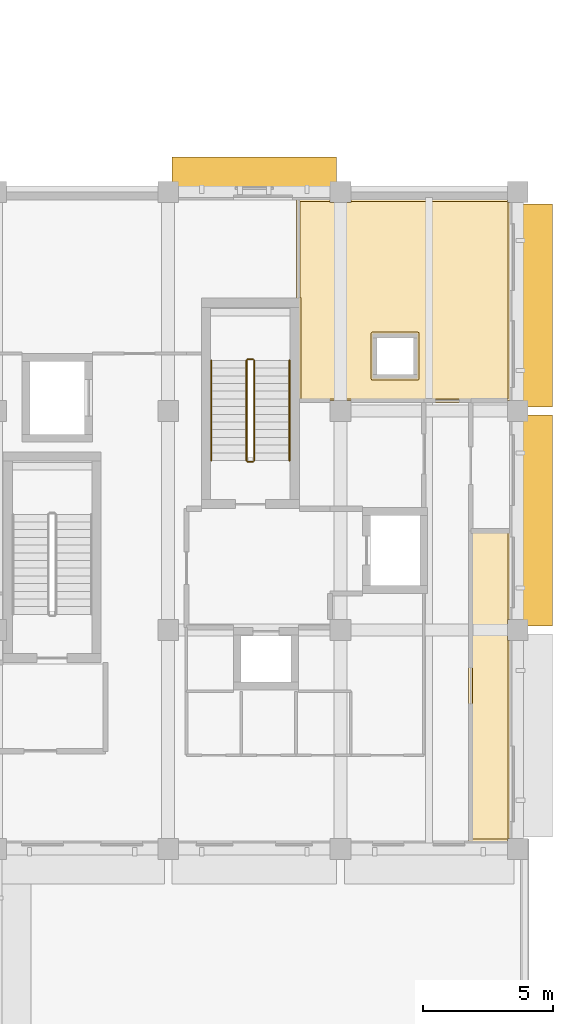
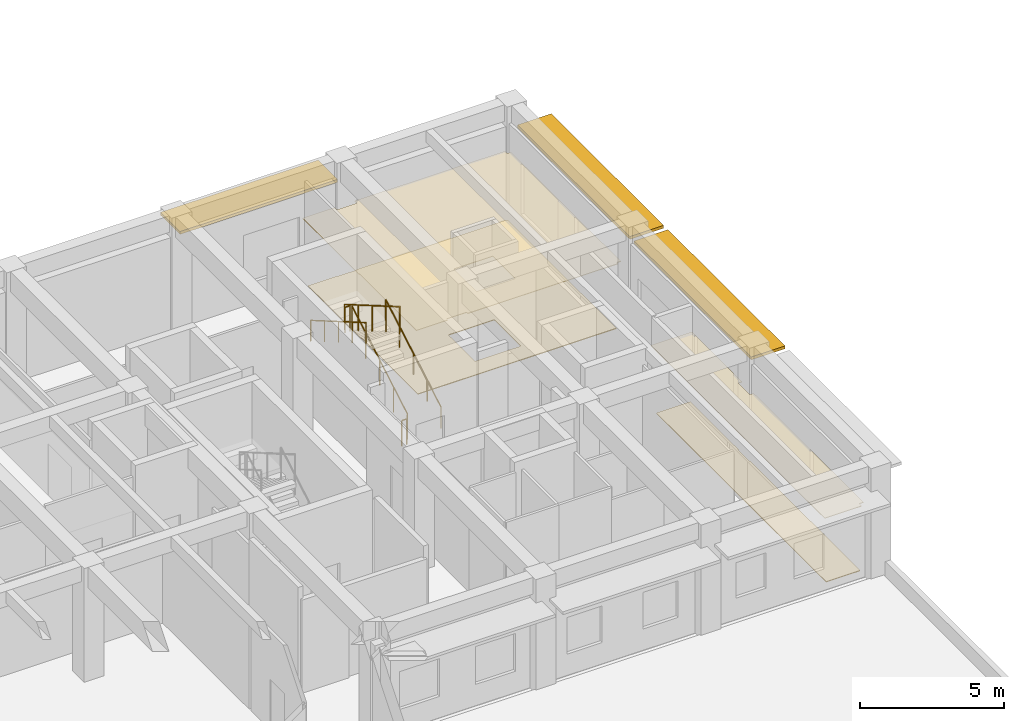
# One storey, part 74 of 75: 6 railings, 4 coverings, 3 shading devices.
"""IFC4 building model written with IfcOpenShell, lengths in metres."""

from ifc_helpers import new_model, si_unit, direction, frame, origin, origin_2d, place, context, subcontext, project, spatial, polyline, rectangle, circle, outline, extrude, material, layer, layer_set, type_object, element, save


model = new_model("IFC4")

# Units and contexts
model_context = context("Model", 3, precision=1e-05, world=origin(), true_north=direction((0.0, 1.0)))
body_context = subcontext(model_context, "Body", "Model", "MODEL_VIEW")
ifc_project = project(units=[si_unit("LENGTHUNIT", "METRE"), si_unit("AREAUNIT", "SQUARE_METRE"), si_unit("VOLUMEUNIT", "CUBIC_METRE"), si_unit("PLANEANGLEUNIT", "RADIAN"), si_unit("MASSUNIT", "GRAM", prefix="KILO")], contexts=[model_context])

# Site, building, storey
site_placement = place(None, origin())
site = spatial("IfcSite", under=ifc_project, at=site_placement, CompositionType="ELEMENT")
building_placement = place(site_placement, origin())
building = spatial("IfcBuilding", under=site, at=building_placement, Name="Kolvaren Faculty of Natural Sciences", CompositionType="ELEMENT")
storey_placement = place(building_placement, frame((0.0, 0.0, 5.39990234375)))
storey = spatial("IfcBuildingStorey", under=building, at=storey_placement, Name="L01", CompositionType="ELEMENT", Elevation=5.39990234375)

# Coverings
ifc_material_1 = material(Name="Perforated mineral-fibre acoustic suspended ceiling tile")
ifc_layer_1 = layer(ifc_material_1, 0.02490234375)
ifc_layer_set_1 = layer_set([ifc_layer_1], Name="Perforated mineral-fibre acoustic suspended ceiling tile")
covering_type_1 = type_object("IfcCoveringType", Name="AcousticSuspendedCeiling_25", PredefinedType="CEILING", material=ifc_layer_set_1)
covering_1_placement = place(storey_placement, frame((0.0, 0.0, 2.8251953125)))
element("IfcCovering", 1, at=covering_1_placement, inside=storey, type_object=covering_type_1, Name="L01 L01 Departmental Reference Library acoustic ceiling", PredefinedType="CEILING", context=body_context, shape_type="SweptSolid", body=[
    extrude(outline(polyline([(170.1201171875, 59.239990234375), (170.1201171875, 71.280029296875), (171.760009765625, 71.280029296875), (171.760009765625, 67.800048828125), (171.60009765625, 67.800048828125), (171.60009765625, 67.0), (171.760009765625, 67.0), (171.760009765625, 59.39990234375), (171.60009765625, 59.39990234375), (171.60009765625, 59.239990234375), (170.1201171875, 59.239990234375)])), origin(), (0.0, 0.0, 1.0), 0.02490234375),
])
covering_2_placement = place(storey_placement, frame((0.0, 0.0, 2.8251953125)))
element("IfcCovering", 2, at=covering_2_placement, inside=storey, type_object=covering_type_1, Name="L01 L01 Senior Researcher Office acoustic ceiling", PredefinedType="CEILING", context=body_context, shape_type="SweptSolid", body=[
    extrude(outline(polyline([(171.760009765625, 76.199951171875), (171.60009765625, 76.199951171875), (171.60009765625, 76.1201171875), (165.60009765625, 76.1201171875), (165.60009765625, 76.199951171875), (164.800048828125, 76.199951171875), (164.800048828125, 76.1201171875), (163.544921875, 76.1201171875), (163.544921875, 80.044921875), (163.52001953125, 80.044921875), (163.52001953125, 83.9599609375), (164.800048828125, 83.9599609375), (164.800048828125, 83.800048828125), (165.60009765625, 83.800048828125), (165.60009765625, 83.9599609375), (171.60009765625, 83.9599609375), (171.60009765625, 83.800048828125), (171.760009765625, 83.800048828125), (171.760009765625, 76.199951171875)]), holes=[polyline([(168.080078125, 77.1201171875), (168.080078125, 78.679931640625), (166.52001953125, 78.679931640625), (166.52001953125, 77.1201171875), (168.080078125, 77.1201171875)])]), origin(), (0.0, 0.0, 1.0), 0.02490234375),
])

# Shading devices
ifc_material_2 = material(Name="Precast concrete C35/45", Category="concrete")
ifc_layer_2 = layer(ifc_material_2, 0.1201171875)
ifc_layer_set_2 = layer_set([ifc_layer_2], Name="Precast concrete C35/45")
shading_device_type = type_object("IfcShadingDeviceType", Name="ChhajjaSolarHood_1350", PredefinedType="AWNING", material=ifc_layer_set_2)
shading_device_1_placement = place(storey_placement, frame((161.89990234375, 84.85498046875, 3.695068359375), z_axis=(0.0, 0.0, 1.0), x_axis=(1.0, 0.0, 0.0)))
element("IfcShadingDevice", 3, at=shading_device_1_placement, inside=storey, type_object=shading_device_type, Name="L01 precast sandstone chhajja solar hood 47", PredefinedType="AWNING", context=body_context, shape_type="SweptSolid", body=[
    extrude(rectangle(XDim=6.300048828125, YDim=1.35009765625, at=origin_2d()), origin(), (0.0, 0.0, 1.0), 0.1201171875),
])
shading_device_2_placement = place(storey_placement, frame((172.655029296875, 79.840087890625, 3.844970703125), z_axis=(0.0, 0.0, 1.0), x_axis=(0.0, -1.0, 0.0)))
element("IfcShadingDevice", 4, at=shading_device_2_placement, inside=storey, type_object=shading_device_type, Name="L01 precast sandstone chhajja solar hood 48", PredefinedType="AWNING", context=body_context, shape_type="SweptSolid", body=[
    extrude(rectangle(XDim=7.780029296875, YDim=1.35009765625, at=origin_2d()), origin(), (0.0, 0.0, 1.0), 0.1201171875),
])
shading_device_3_placement = place(storey_placement, frame((172.655029296875, 71.60009765625, 3.844970703125), z_axis=(0.0, 0.0, 1.0), x_axis=(0.0, -1.0, 0.0)))
element("IfcShadingDevice", 5, at=shading_device_3_placement, inside=storey, type_object=shading_device_type, Name="L01 precast sandstone chhajja solar hood 49", PredefinedType="AWNING", context=body_context, shape_type="SweptSolid", body=[
    extrude(rectangle(XDim=8.10009765625, YDim=1.35009765625, at=origin_2d()), origin(), (0.0, 0.0, 1.0), 0.1201171875),
])

# Railings
ifc_material_3 = material(Name="Structural steel EN 10210-1 S355J2H", Category="steel")
ifc_layer_3 = layer(ifc_material_3, 0.048095703125)
ifc_layer_set_3 = layer_set([ifc_layer_3], Name="Structural steel EN 10210-1 S355J2H")
railing_type_1 = type_object("IfcRailingType", Name="StairPitchHandrail_920", PredefinedType="HANDRAIL", material=ifc_layer_set_3)
railing_1_placement = place(storey_placement, frame((163.25, 73.89990234375, 0.171630859375)))
element("IfcRailing", 6, at=railing_1_placement, inside=storey, type_object=railing_type_1, Name="L01 ST-1 stair handrail 1", PredefinedType="HANDRAIL", context=body_context, shape_type="SweptSolid", body=[
    extrude(circle(Radius=0.02392578125, at=origin_2d()), frame((0.0, 0.0, 0.8759765625), z_axis=(0.0, 0.864630078522, 0.502409023919), x_axis=(-1.0, 0.0, 0.0)), (0.0, 0.0, 1.0), 4.435546875),
    extrude(circle(Radius=0.02099609375, at=origin_2d()), origin(), (0.0, 0.0, 1.0), 0.851806640625),
    extrude(circle(Radius=0.02099609375, at=origin_2d()), frame((0.0, 0.958740234375, 0.55712890625)), (0.0, 0.0, 1.0), 0.851806640625),
    extrude(circle(Radius=0.02099609375, at=origin_2d()), frame((0.0, 1.91748046875, 1.1142578125)), (0.0, 0.0, 1.0), 0.851806640625),
    extrude(circle(Radius=0.02099609375, at=origin_2d()), frame((0.0, 2.87646484375, 1.67138671875)), (0.0, 0.0, 1.0), 0.851806640625),
    extrude(circle(Radius=0.02099609375, at=origin_2d()), frame((0.0, 3.835205078125, 2.228515625)), (0.0, 0.0, 1.0), 0.851806640625),
])
railing_2_placement = place(storey_placement, frame((160.25, 77.735107421875, 2.571533203125)))
element("IfcRailing", 7, at=railing_2_placement, inside=storey, type_object=railing_type_1, Name="L01 ST-1 stair handrail 2", PredefinedType="HANDRAIL", context=body_context, shape_type="SweptSolid", body=[
    extrude(circle(Radius=0.02392578125, at=origin_2d()), frame((0.0, 0.0, 0.8759765625), z_axis=(0.0, -0.864630078522, 0.502409023919), x_axis=(1.0, 0.0, 0.0)), (0.0, 0.0, 1.0), 4.435546875),
    extrude(circle(Radius=0.02099609375, at=origin_2d()), origin(), (0.0, 0.0, 1.0), 0.851806640625),
    extrude(circle(Radius=0.02099609375, at=origin_2d()), frame((0.0, -0.958740234375, 0.55712890625)), (0.0, 0.0, 1.0), 0.851806640625),
    extrude(circle(Radius=0.02099609375, at=origin_2d()), frame((0.0, -1.91748046875, 1.1142578125)), (0.0, 0.0, 1.0), 0.851806640625),
    extrude(circle(Radius=0.02099609375, at=origin_2d()), frame((0.0, -2.87646484375, 1.67138671875)), (0.0, 0.0, 1.0), 0.851806640625),
    extrude(circle(Radius=0.02099609375, at=origin_2d()), frame((0.0, -3.835205078125, 2.228515625)), (0.0, 0.0, 1.0), 0.851806640625),
])
ifc_layer_4 = layer(ifc_material_3, 0.048095703125)
ifc_layer_set_4 = layer_set([ifc_layer_4], Name="Structural steel EN 10210-1 S355J2H")
railing_type_2 = type_object("IfcRailingType", Name="StairWellGuard_1100", PredefinedType="BALUSTRADE", material=ifc_layer_set_4)
railing_3_placement = place(storey_placement, frame((161.89990234375, 73.89990234375, 0.171630859375)))
element("IfcRailing", 8, at=railing_3_placement, inside=storey, type_object=railing_type_2, Name="L01 ST-1 stair guard 1", PredefinedType="BALUSTRADE", context=body_context, shape_type="SweptSolid", body=[
    extrude(circle(Radius=0.02392578125, at=origin_2d()), frame((0.0, 0.0, 1.076171875), z_axis=(0.0, 0.864630078522, 0.502409023919), x_axis=(-1.0, 0.0, 0.0)), (0.0, 0.0, 1.0), 4.435546875),
    extrude(circle(Radius=0.02099609375, at=origin_2d()), origin(), (0.0, 0.0, 1.0), 1.052001953125),
    extrude(circle(Radius=0.02099609375, at=origin_2d()), frame((0.0, 0.958740234375, 0.55712890625)), (0.0, 0.0, 1.0), 1.052001953125),
    extrude(circle(Radius=0.02099609375, at=origin_2d()), frame((0.0, 1.91748046875, 1.1142578125)), (0.0, 0.0, 1.0), 1.052001953125),
    extrude(circle(Radius=0.02099609375, at=origin_2d()), frame((0.0, 2.87646484375, 1.67138671875)), (0.0, 0.0, 1.0), 1.052001953125),
    extrude(circle(Radius=0.02099609375, at=origin_2d()), frame((0.0, 3.835205078125, 2.228515625)), (0.0, 0.0, 1.0), 1.052001953125),
])
railing_4_placement = place(storey_placement, frame((161.85009765625, 77.784912109375, 2.400146484375)))
element("IfcRailing", 9, at=railing_4_placement, inside=storey, type_object=railing_type_2, Name="L01 ST-1 stair guard 2", PredefinedType="BALUSTRADE", context=body_context, shape_type="SweptSolid", body=[
    extrude(circle(Radius=0.02392578125, at=origin_2d()), frame((0.0, 0.0, 1.076171875), z_axis=(-1.0, 0.0, 0.0), x_axis=(0.0, -1.0, 0.0)), (0.0, 0.0, 1.0), 0.2001953125),
    extrude(circle(Radius=0.02099609375, at=origin_2d()), origin(), (0.0, 0.0, 1.0), 1.052001953125),
    extrude(circle(Radius=0.02099609375, at=origin_2d()), frame((-0.2001953125, 0.0, 0.0)), (0.0, 0.0, 1.0), 1.052001953125),
])
railing_5_placement = place(storey_placement, frame((161.60009765625, 77.735107421875, 2.571533203125)))
element("IfcRailing", 10, at=railing_5_placement, inside=storey, type_object=railing_type_2, Name="L01 ST-1 stair guard 3", PredefinedType="BALUSTRADE", context=body_context, shape_type="SweptSolid", body=[
    extrude(circle(Radius=0.02392578125, at=origin_2d()), frame((0.0, 0.0, 1.076171875), z_axis=(0.0, -0.864630078522, 0.502409023919), x_axis=(1.0, 0.0, 0.0)), (0.0, 0.0, 1.0), 4.435546875),
    extrude(circle(Radius=0.02099609375, at=origin_2d()), origin(), (0.0, 0.0, 1.0), 1.052001953125),
    extrude(circle(Radius=0.02099609375, at=origin_2d()), frame((0.0, -0.958740234375, 0.55712890625)), (0.0, 0.0, 1.0), 1.052001953125),
    extrude(circle(Radius=0.02099609375, at=origin_2d()), frame((0.0, -1.91748046875, 1.1142578125)), (0.0, 0.0, 1.0), 1.052001953125),
    extrude(circle(Radius=0.02099609375, at=origin_2d()), frame((0.0, -2.87646484375, 1.67138671875)), (0.0, 0.0, 1.0), 1.052001953125),
    extrude(circle(Radius=0.02099609375, at=origin_2d()), frame((0.0, -3.835205078125, 2.228515625)), (0.0, 0.0, 1.0), 1.052001953125),
])
railing_6_placement = place(storey_placement, frame((161.85009765625, 73.85009765625, 0.0)))
element("IfcRailing", 11, at=railing_6_placement, inside=storey, type_object=railing_type_2, Name="L01 ST-1 stair guard 4", PredefinedType="BALUSTRADE", context=body_context, shape_type="SweptSolid", body=[
    extrude(circle(Radius=0.02392578125, at=origin_2d()), frame((0.0, 0.0, 1.076171875), z_axis=(-1.0, 0.0, 0.0), x_axis=(0.0, -1.0, 0.0)), (0.0, 0.0, 1.0), 0.2001953125),
    extrude(circle(Radius=0.02099609375, at=origin_2d()), origin(), (0.0, 0.0, 1.0), 1.052001953125),
    extrude(circle(Radius=0.02099609375, at=origin_2d()), frame((-0.2001953125, 0.0, 0.0)), (0.0, 0.0, 1.0), 1.052001953125),
])

# Coverings
ifc_material_4 = material(Name="Polished Uruguayan grey granite terrazzo flooring", Category="masonry")
ifc_layer_5 = layer(ifc_material_4, 0.030029296875)
ifc_layer_set_5 = layer_set([ifc_layer_5], Name="Polished Uruguayan grey granite terrazzo flooring")
covering_type_2 = type_object("IfcCoveringType", Name="TerrazzoFloorFinish_30", PredefinedType="FLOORING", material=ifc_layer_set_5)
covering_3_placement = place(storey_placement, origin())
element("IfcCovering", 12, at=covering_3_placement, inside=storey, type_object=covering_type_2, Name="L01 L01 Departmental Reference Library floor finish", PredefinedType="FLOORING", context=body_context, shape_type="SweptSolid", body=[
    extrude(outline(polyline([(171.6201171875, 67.800048828125), (171.60009765625, 67.800048828125), (171.60009765625, 67.0), (171.6201171875, 67.0), (171.6201171875, 59.39990234375), (171.60009765625, 59.39990234375), (171.60009765625, 59.3798828125), (170.260009765625, 59.3798828125), (170.260009765625, 71.139892578125), (171.6201171875, 71.139892578125), (171.6201171875, 67.800048828125)])), origin(), (0.0, 0.0, 1.0), 0.030029296875),
])
covering_4_placement = place(storey_placement, origin())
element("IfcCovering", 13, at=covering_4_placement, inside=storey, type_object=covering_type_2, Name="L01 L01 Senior Researcher Office floor finish", PredefinedType="FLOORING", context=body_context, shape_type="SweptSolid", body=[
    extrude(outline(polyline([(163.659912109375, 83.820068359375), (164.800048828125, 83.820068359375), (164.800048828125, 83.800048828125), (165.60009765625, 83.800048828125), (165.60009765625, 83.820068359375), (171.60009765625, 83.820068359375), (171.60009765625, 83.800048828125), (171.6201171875, 83.800048828125), (171.6201171875, 76.260009765625), (163.68505859375, 76.260009765625), (163.68505859375, 80.125), (163.684814453125, 80.130859375), (163.683837890625, 80.13671875), (163.682373046875, 80.142333984375), (163.680419921875, 80.14794921875), (163.677978515625, 80.1533203125), (163.6748046875, 80.158203125), (163.67138671875, 80.1630859375), (163.66748046875, 80.16748046875), (163.6630859375, 80.17138671875), (163.659912109375, 80.173583984375), (163.659912109375, 83.820068359375)]), holes=[polyline([(166.43408203125, 78.819580078125), (166.42822265625, 78.81884765625), (166.422607421875, 78.8173828125), (166.4169921875, 78.8154296875), (166.41162109375, 78.81298828125), (166.40673828125, 78.809814453125), (166.40185546875, 78.806396484375), (166.397705078125, 78.802490234375), (166.3935546875, 78.798095703125), (166.39013671875, 78.793212890625), (166.38720703125, 78.788330078125), (166.384521484375, 78.782958984375), (166.382568359375, 78.77734375), (166.381103515625, 78.771728515625), (166.38037109375, 78.765869140625), (166.3798828125, 78.760009765625), (166.3798828125, 77.0400390625), (166.38037109375, 77.0341796875), (166.381103515625, 77.0283203125), (166.382568359375, 77.022705078125), (166.384521484375, 77.01708984375), (166.38720703125, 77.01171875), (166.39013671875, 77.006591796875), (166.3935546875, 77.001953125), (166.397705078125, 76.99755859375), (166.40185546875, 76.99365234375), (166.40673828125, 76.989990234375), (166.41162109375, 76.987060546875), (166.4169921875, 76.984619140625), (166.422607421875, 76.982666015625), (166.42822265625, 76.981201171875), (166.43408203125, 76.980224609375), (166.43994140625, 76.97998046875), (168.159912109375, 76.97998046875), (168.166015625, 76.980224609375), (168.171630859375, 76.981201171875), (168.177490234375, 76.982666015625), (168.18310546875, 76.984619140625), (168.188232421875, 76.987060546875), (168.193359375, 76.989990234375), (168.197998046875, 76.99365234375), (168.202392578125, 76.99755859375), (168.206298828125, 77.001953125), (168.2099609375, 77.006591796875), (168.212890625, 77.01171875), (168.21533203125, 77.01708984375), (168.21728515625, 77.022705078125), (168.21875, 77.0283203125), (168.2197265625, 77.0341796875), (168.219970703125, 77.0400390625), (168.219970703125, 78.760009765625), (168.2197265625, 78.765869140625), (168.21875, 78.771728515625), (168.21728515625, 78.77734375), (168.21533203125, 78.782958984375), (168.212890625, 78.788330078125), (168.2099609375, 78.793212890625), (168.206298828125, 78.798095703125), (168.202392578125, 78.802490234375), (168.197998046875, 78.806396484375), (168.193359375, 78.809814453125), (168.188232421875, 78.81298828125), (168.18310546875, 78.8154296875), (168.177490234375, 78.8173828125), (168.171630859375, 78.81884765625), (168.166015625, 78.819580078125), (168.159912109375, 78.820068359375), (166.43994140625, 78.820068359375), (166.43408203125, 78.819580078125)])]), origin(), (0.0, 0.0, 1.0), 0.030029296875),
])

save(model, "model.ifc")
